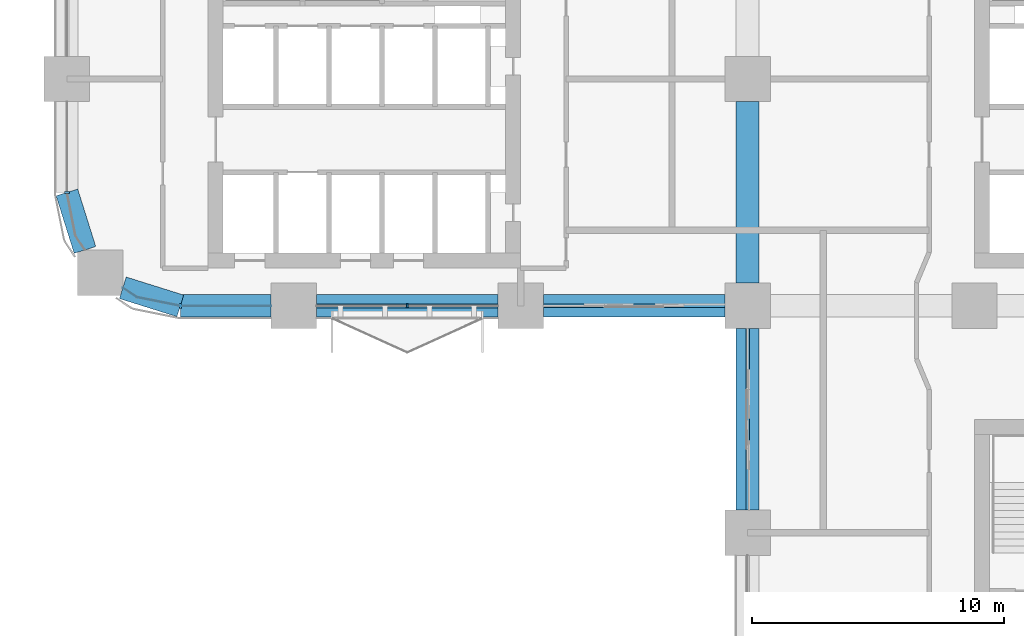
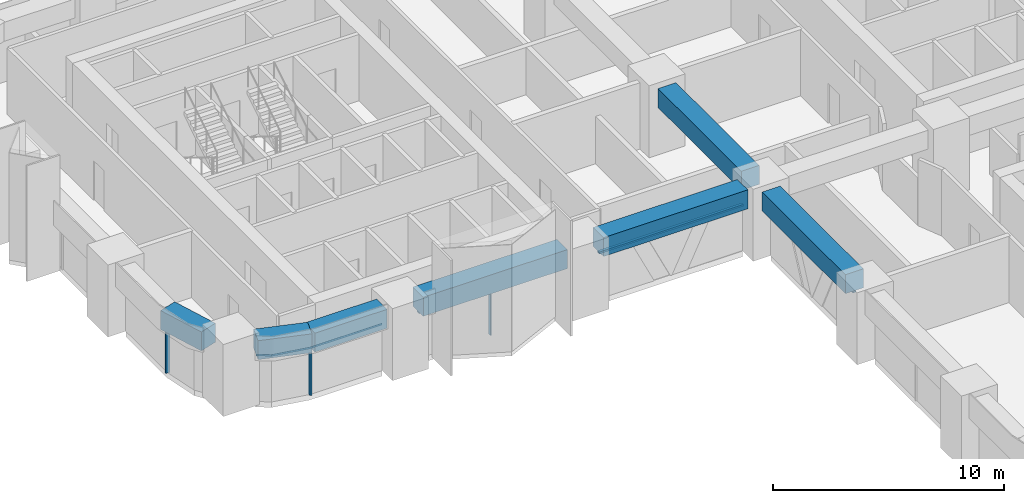
# One storey, part 3 of 18: 7 beams, 7 members, 5 elements without a shape of their own.
"""IFC4 building model written with IfcOpenShell, lengths in metres."""

from ifc_helpers import new_model, si_unit, direction, frame, origin, origin_2d, place, context, subcontext, project, spatial, polyline, rectangle, outline, extrude, material, material_profile, profile_set, type_object, element, aggregate, save


model = new_model("IFC4")

# Units and contexts
model_context = context("Model", 3, precision=1e-05, world=origin(), true_north=direction((0.0, 1.0)))
body_context = subcontext(model_context, "Body", "Model", "MODEL_VIEW")
ifc_project = project(units=[si_unit("LENGTHUNIT", "METRE"), si_unit("AREAUNIT", "SQUARE_METRE"), si_unit("VOLUMEUNIT", "CUBIC_METRE"), si_unit("PLANEANGLEUNIT", "RADIAN"), si_unit("MASSUNIT", "GRAM", prefix="KILO")], contexts=[model_context])

# Site, building, storey
site_placement = place(None, origin())
site = spatial("IfcSite", under=ifc_project, at=site_placement, CompositionType="ELEMENT")
building_placement = place(site_placement, origin())
building = spatial("IfcBuilding", under=site, at=building_placement, Name="Tessera Arch", CompositionType="ELEMENT")
storey_placement = place(building_placement, frame((0.0, 0.0, 115.800048828125)))
storey = spatial("IfcBuildingStorey", under=building, at=storey_placement, Name="L27", CompositionType="ELEMENT", Elevation=115.800048828125)

# Curtain wall, members
ifc_material_1 = material(Name="CW1 curtain wall")
curtain_wall_type_1 = type_object("IfcCurtainWallType", Name="CW1 curtain wall", PredefinedType="NOTDEFINED", material=ifc_material_1)
curtain_wall_1_placement = place(storey_placement, origin())
curtain_wall_1 = element("IfcCurtainWall", 1, at=curtain_wall_1_placement, inside=storey, type_object=curtain_wall_type_1, Name="CW1 curtain wall S27.0/1 L27", PredefinedType="NOTDEFINED")
ifc_material_2 = material(Name="Anodised aluminium pale metal", Category="aluminium")
ifc_material_profile_1 = material_profile(ifc_material_2, rectangle(XDim=0.159912109375, YDim=0.06005859375, at=origin_2d()), Name="AL 60x160")
ifc_profile_set_1 = profile_set([ifc_material_profile_1], Name="Anodised aluminium pale metal")
member_type_1 = type_object("IfcMemberType", Name="CW1 mullion", PredefinedType="MULLION", material=ifc_profile_set_1)
member_1_placement = place(storey_placement, frame((13.5, 27.0, 0.0), z_axis=(0.0, 0.0, 1.0), x_axis=(0.0, 1.0, 0.0)))
member_1 = element("IfcMember", 2, at=member_1_placement, type_object=member_type_1, Name="CW1 mullion S27.0/1 1", PredefinedType="MULLION", context=body_context, shape_type="SweptSolid", body=[
    extrude(rectangle(XDim=0.159912109375, YDim=0.06005859375, at=origin_2d()), origin(), (0.0, 0.0, 1.0), 2.39990234375),
])
ifc_material_3 = material(Name="Anodised aluminium pale metal", Category="aluminium")
ifc_material_profile_2 = material_profile(ifc_material_3, rectangle(XDim=0.159912109375, YDim=0.10009765625, at=origin_2d()), Name="AL 160x100")
ifc_profile_set_2 = profile_set([ifc_material_profile_2], Name="Anodised aluminium pale metal")
member_type_2 = type_object("IfcMemberType", Name="CW1 transom", PredefinedType="USERDEFINED", material=ifc_profile_set_2)
member_2_placement = place(storey_placement, frame((9.89990234375, 27.0, 2.449951171875), z_axis=(1.0, 0.0, 0.0), x_axis=(0.0, 1.0, 0.0)))
member_2 = element("IfcMember", 3, at=member_2_placement, type_object=member_type_2, Name="CW1 transom S27.0/1 1.1", ObjectType="TRANSOM", PredefinedType="USERDEFINED", context=body_context, shape_type="SweptSolid", body=[
    extrude(rectangle(XDim=0.159912109375, YDim=0.10009765625, at=origin_2d()), origin(), (0.0, 0.0, 1.0), 7.2001953125),
])
aggregate(curtain_wall_1, [member_1, member_2])

# Curtain wall, member
ifc_material_4 = material(Name="CW2 curtain wall")
curtain_wall_type_2 = type_object("IfcCurtainWallType", Name="CW2 curtain wall", PredefinedType="NOTDEFINED", material=ifc_material_4)
curtain_wall_2_placement = place(storey_placement, origin())
curtain_wall_2 = element("IfcCurtainWall", 4, at=curtain_wall_2_placement, inside=storey, type_object=curtain_wall_type_2, Name="CW2 curtain wall W0.27/2 L27", PredefinedType="NOTDEFINED")
ifc_material_5 = material(Name="Anodised aluminium pale metal", Category="aluminium")
ifc_material_profile_3 = material_profile(ifc_material_5, rectangle(XDim=0.199951171875, YDim=0.080078125, at=origin_2d()), Name="AL 80x200")
ifc_profile_set_3 = profile_set([ifc_material_profile_3], Name="Anodised aluminium pale metal")
member_type_3 = type_object("IfcMemberType", Name="CW2 mullion", PredefinedType="MULLION", material=ifc_profile_set_3)
member_3_placement = place(storey_placement, frame((0.0, 31.5, 0.0), z_axis=(0.0, 0.0, 1.0), x_axis=(1.0, 0.0, 0.0)))
member_3 = element("IfcMember", 5, at=member_3_placement, type_object=member_type_3, Name="CW2 mullion W0.27/2 1", PredefinedType="MULLION", context=body_context, shape_type="SweptSolid", body=[
    extrude(rectangle(XDim=0.199951171875, YDim=0.080078125, at=origin_2d()), origin(), (0.0, 0.0, 1.0), 2.39990234375),
])
aggregate(curtain_wall_2, [member_3])

# Curtain wall, members
curtain_wall_3_placement = place(storey_placement, origin())
curtain_wall_3 = element("IfcCurtainWall", 6, at=curtain_wall_3_placement, inside=storey, type_object=curtain_wall_type_2, Name="CW2 curtain wall S27.0/0 L27", PredefinedType="NOTDEFINED")
member_4_placement = place(storey_placement, frame((4.5, 27.0, 0.0), z_axis=(0.0, 0.0, 1.0), x_axis=(0.0, 1.0, 0.0)))
member_4 = element("IfcMember", 7, at=member_4_placement, type_object=member_type_3, Name="CW2 mullion S27.0/0 1", PredefinedType="MULLION", context=body_context, shape_type="SweptSolid", body=[
    extrude(rectangle(XDim=0.199951171875, YDim=0.080078125, at=origin_2d()), origin(), (0.0, 0.0, 1.0), 2.39990234375),
])
ifc_material_6 = material(Name="Anodised aluminium pale metal", Category="aluminium")
ifc_material_profile_4 = material_profile(ifc_material_6, rectangle(XDim=0.199951171875, YDim=0.10009765625, at=origin_2d()), Name="AL 200x100")
ifc_profile_set_4 = profile_set([ifc_material_profile_4], Name="Anodised aluminium pale metal")
member_type_4 = type_object("IfcMemberType", Name="CW2 transom", PredefinedType="USERDEFINED", material=ifc_profile_set_4)
member_5_placement = place(storey_placement, frame((0.0, 0.0, 2.39990234375)))
member_5 = element("IfcMember", 8, at=member_5_placement, type_object=member_type_4, Name="CW2 transom S27.0/0 1", ObjectType="TRANSOM", PredefinedType="USERDEFINED", context=body_context, shape_type="SweptSolid", body=[
    extrude(outline(polyline([(2.78173828125, 27.351806640625), (2.2236328125, 27.72509765625), (2.21240234375, 27.70849609375), (2.77392578125, 27.3330078125), (4.4990234375, 26.989990234375), (8.10009765625, 26.989990234375), (8.10009765625, 27.010009765625), (4.5009765625, 27.010009765625), (2.78173828125, 27.351806640625)])), origin(), (0.0, 0.0, 1.0), 0.10009765625),
])
aggregate(curtain_wall_3, [member_4, member_5])

# Curtain wall, member
ifc_material_7 = material(Name="CW3 curtain wall")
curtain_wall_type_3 = type_object("IfcCurtainWallType", Name="CW3 curtain wall", PredefinedType="NOTDEFINED", material=ifc_material_7)
curtain_wall_4_placement = place(storey_placement, origin())
curtain_wall_4 = element("IfcCurtainWall", 9, at=curtain_wall_4_placement, inside=storey, type_object=curtain_wall_type_3, Name="CW3 curtain wall S27.0/2 L27", PredefinedType="NOTDEFINED")
ifc_material_8 = material(Name="Anodised aluminium pale metal", Category="aluminium")
ifc_material_profile_5 = material_profile(ifc_material_8, rectangle(XDim=0.139892578125, YDim=0.10009765625, at=origin_2d()), Name="AL 140x100")
ifc_profile_set_5 = profile_set([ifc_material_profile_5], Name="Anodised aluminium pale metal")
member_type_5 = type_object("IfcMemberType", Name="CW3 transom", PredefinedType="USERDEFINED", material=ifc_profile_set_5)
member_6_placement = place(storey_placement, frame((18.89990234375, 27.0, 2.449951171875), z_axis=(1.0, 0.0, 0.0), x_axis=(0.0, 1.0, 0.0)))
member_6 = element("IfcMember", 10, at=member_6_placement, type_object=member_type_5, Name="CW3 transom S27.0/2 1.1", ObjectType="TRANSOM", PredefinedType="USERDEFINED", context=body_context, shape_type="SweptSolid", body=[
    extrude(rectangle(XDim=0.139892578125, YDim=0.10009765625, at=origin_2d()), origin(), (0.0, 0.0, 1.0), 7.2001953125),
])
aggregate(curtain_wall_4, [member_6])

curtain_wall_5_placement = place(storey_placement, origin())
curtain_wall_5 = element("IfcCurtainWall", 11, at=curtain_wall_5_placement, inside=storey, type_object=curtain_wall_type_3, Name="CW3 curtain wall W27.0/0 L27", PredefinedType="NOTDEFINED")
member_7_placement = place(storey_placement, frame((27.0, 26.10009765625, 2.449951171875), z_axis=(0.0, -1.0, 0.0), x_axis=(1.0, 0.0, 0.0)))
member_7 = element("IfcMember", 12, at=member_7_placement, type_object=member_type_5, Name="CW3 transom W27.0/0 1.1", ObjectType="TRANSOM", PredefinedType="USERDEFINED", context=body_context, shape_type="SweptSolid", body=[
    extrude(rectangle(XDim=0.139892578125, YDim=0.10009765625, at=origin_2d()), origin(), (0.0, 0.0, 1.0), 7.2001953125),
])
aggregate(curtain_wall_5, [member_7])

# Beams
ifc_material_9 = material(Name="Concrete C80/95", Category="concrete")
ifc_material_profile_6 = material_profile(ifc_material_9, rectangle(XDim=0.89990234375, YDim=1.0, at=origin_2d()), Name="RC spandrel beam 900 x 1000 Concrete C80/95")
ifc_profile_set_6 = profile_set([ifc_material_profile_6], Name="Concrete C80/95")
beam_type = type_object("IfcBeamType", Name="RC spandrel beam 900 x 1000 Concrete C80/95", PredefinedType="BEAM", material=ifc_profile_set_6)
for number, where, z_axis, x_axis, name in (
    (13, (0.0, 31.5, 3.0), (0.299675309057, -0.954041251279, 0.0), (0.954041251279, 0.299675309057, 0.0), "Spandrel beam L27 W0.27/2.2"),
    (14, (2.218017578125, 27.716796875, 3.0), (0.954041251279, -0.299675309057, 0.0), (0.299675309057, 0.954041251279, 0.0), "Spandrel beam L27 S27.0/0.1"),
):
    element("IfcBeam", number, at=place(storey_placement, frame(where, z_axis=z_axis, x_axis=x_axis)), inside=storey, type_object=beam_type, Name=name, PredefinedType="BEAM", context=body_context, shape_type="SweptSolid", body=[
        extrude(rectangle(XDim=0.89990234375, YDim=1.0, at=origin_2d()), origin(), (0.0, 0.0, 1.0), 2.391845703125),
    ])
beam_placement = place(storey_placement, frame((4.5, 27.0, 3.0), z_axis=(1.0, 0.0, 0.0), x_axis=(0.0, 1.0, 0.0)))
element("IfcBeam", 15, at=beam_placement, inside=storey, type_object=beam_type, Name="Spandrel beam L27 S27.0/0.2", PredefinedType="BEAM", context=body_context, shape_type="SweptSolid", body=[
    extrude(rectangle(XDim=0.89990234375, YDim=1.0, at=origin_2d()), origin(), (0.0, 0.0, 1.0), 3.60009765625),
])
for number, where, z_axis, x_axis, name in (
    (16, (9.89990234375, 27.0, 3.0), (1.0, 0.0, 0.0), (0.0, 1.0, 0.0), "Spandrel beam L27 S27.0/1"),
    (17, (18.89990234375, 27.0, 3.0), (1.0, 0.0, 0.0), (0.0, 1.0, 0.0), "Spandrel beam L27 S27.0/2"),
    (18, (27.0, 26.10009765625, 3.0), (0.0, -1.0, 0.0), (1.0, 0.0, 0.0), "Spandrel beam L27 W27.0/0"),
    (19, (27.0, 27.89990234375, 3.0), (0.0, 1.0, 0.0), (-1.0, 0.0, 0.0), "Interface beam L27 I0C4D-C4E"),
):
    element("IfcBeam", number, at=place(storey_placement, frame(where, z_axis=z_axis, x_axis=x_axis)), inside=storey, type_object=beam_type, Name=name, PredefinedType="BEAM", context=body_context, shape_type="SweptSolid", body=[
        extrude(rectangle(XDim=0.89990234375, YDim=1.0, at=origin_2d()), origin(), (0.0, 0.0, 1.0), 7.2001953125),
    ])

save(model, "model.ifc")
